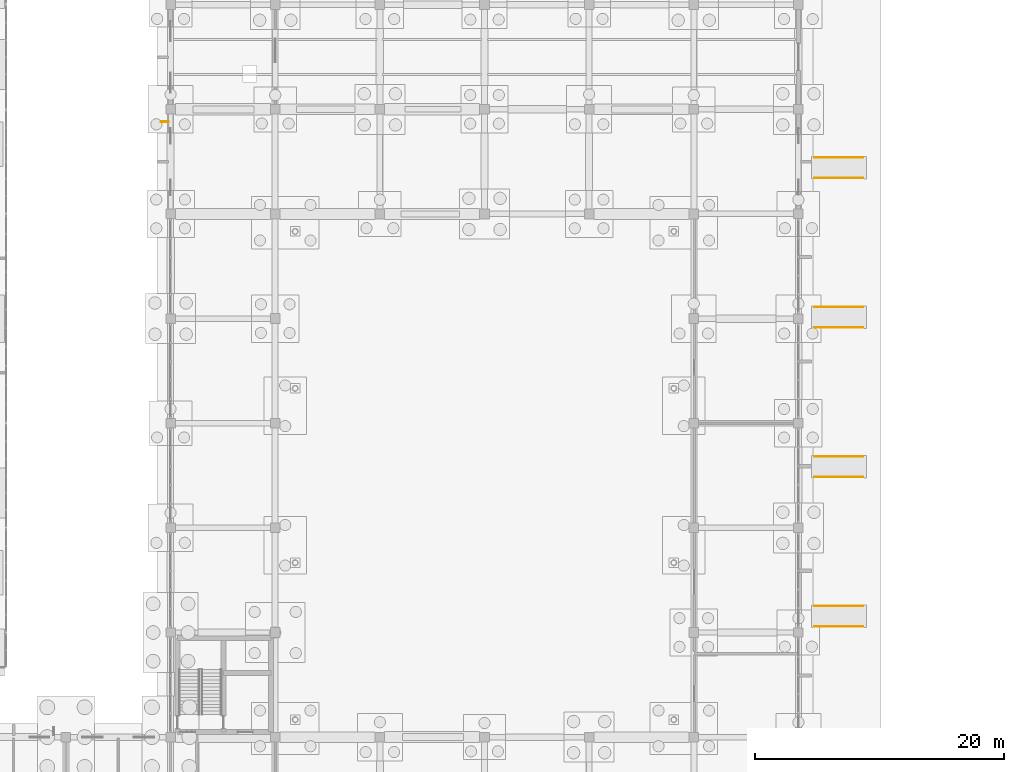
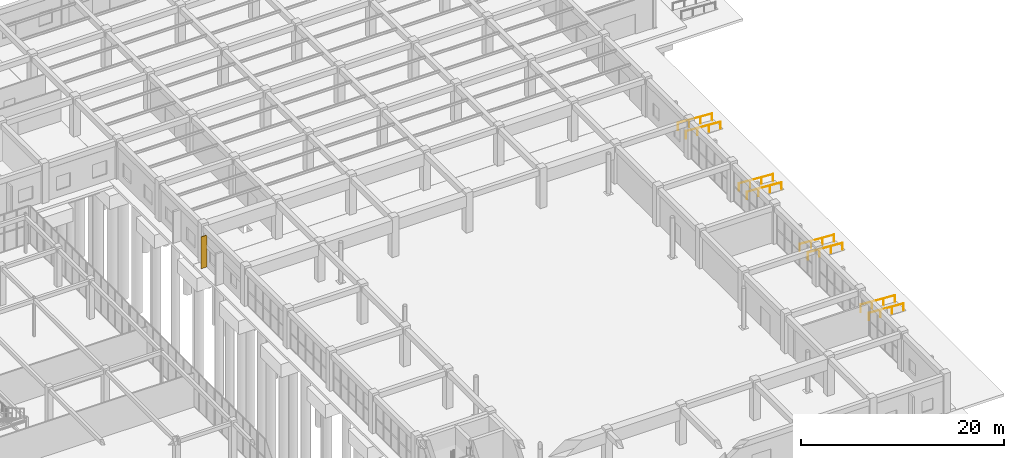
# One storey, part 189 of 192: 8 railings, 1 shading device.
"""IFC4 building model written with IfcOpenShell, lengths in metres."""

from ifc_helpers import new_model, si_unit, direction, frame, origin, origin_2d, place, context, subcontext, project, spatial, rectangle, circle, extrude, material, type_object, element, save


model = new_model("IFC4")

# Units and contexts
model_context = context("Model", 3, precision=1e-05, world=origin(), true_north=direction((0.0, 1.0)))
body_context = subcontext(model_context, "Body", "Model", "MODEL_VIEW")
ifc_project = project(units=[si_unit("LENGTHUNIT", "METRE"), si_unit("AREAUNIT", "SQUARE_METRE"), si_unit("VOLUMEUNIT", "CUBIC_METRE"), si_unit("PLANEANGLEUNIT", "RADIAN"), si_unit("MASSUNIT", "GRAM", prefix="KILO")], contexts=[model_context])

# Site, building, storey
site_placement = place(None, origin())
site = spatial("IfcSite", under=ifc_project, at=site_placement, CompositionType="ELEMENT")
building_placement = place(site_placement, origin())
building = spatial("IfcBuilding", under=site, at=building_placement, Name="Trelvath General Hospital", CompositionType="ELEMENT")
storey_placement = place(building_placement, origin())
storey = spatial("IfcBuildingStorey", under=building, at=storey_placement, Name="L00", CompositionType="ELEMENT", Elevation=0.0)

# Railings
ifc_material_1 = material(Name="Brushed stainless steel", Category="steel")
railing_type = type_object("IfcRailingType", Name="Handrail Stair900", PredefinedType="HANDRAIL", material=ifc_material_1)
for number, where, name in (
    (1, (186.10009765625, 34.080078125, 0.0), "Ramp Handrail RMP-ENTRY-1 S"),
    (2, (186.10009765625, 35.719970703125, 0.0), "Ramp Handrail RMP-ENTRY-1 N"),
    (3, (186.10009765625, 46.080078125, 0.0), "Ramp Handrail RMP-ENTRY-2 S"),
    (4, (186.10009765625, 47.719970703125, 0.0), "Ramp Handrail RMP-ENTRY-2 N"),
    (5, (186.10009765625, 58.080078125, 0.0), "Ramp Handrail RMP-ENTRY-3 S"),
    (6, (186.10009765625, 59.719970703125, 0.0), "Ramp Handrail RMP-ENTRY-3 N"),
    (7, (186.10009765625, 70.080078125, 0.0), "Ramp Handrail RMP-ENTRY-4 S"),
    (8, (186.10009765625, 71.719970703125, 0.0), "Ramp Handrail RMP-ENTRY-4 N"),
):
    element("IfcRailing", number, at=place(storey_placement, frame(where)), inside=storey, type_object=railing_type, Name=name, PredefinedType="HANDRAIL", context=body_context, shape_type="SweptSolid", body=[
        extrude(circle(Radius=0.02392578125, at=origin_2d()), frame((0.0, 0.0, 0.8759765625), z_axis=(0.998111928855, 0.0, -0.06142131126), x_axis=(0.0, 1.0, 0.0)), (0.0, 0.0, 1.0), 3.9072265625),
        extrude(circle(Radius=0.02099609375, at=origin_2d()), origin(), (0.0, 0.0, 1.0), 0.849853515625),
        extrude(circle(Radius=0.02099609375, at=origin_2d()), frame((1.300048828125, 0.0, -0.080078125)), (0.0, 0.0, 1.0), 0.849853515625),
        extrude(circle(Radius=0.02099609375, at=origin_2d()), frame((2.599853515625, 0.0, -0.159912109375)), (0.0, 0.0, 1.0), 0.849853515625),
        extrude(circle(Radius=0.02099609375, at=origin_2d()), frame((3.89990234375, 0.0, -0.239990234375)), (0.0, 0.0, 1.0), 0.849853515625),
    ])

# Shading device
ifc_material_2 = material(Name="Anodised aluminium", Category="aluminium")
shading_device_type = type_object("IfcShadingDeviceType", Name="SolarScreen PerforatedAlu", PredefinedType="JALOUSIE", material=ifc_material_2)
shading_device_placement = place(storey_placement, frame((133.919921875, 74.613037109375, 0.0), z_axis=(0.0, 0.0, 1.0), x_axis=(-1.0, 0.0, 0.0)))
element("IfcShadingDevice", 9, at=shading_device_placement, inside=storey, type_object=shading_device_type, Name="Solar Brise-Soleil Screen L00-14", PredefinedType="JALOUSIE", context=body_context, shape_type="SweptSolid", body=[
    extrude(rectangle(XDim=0.64990234375, YDim=0.080078125, at=origin_2d()), origin(), (0.0, 0.0, 1.0), 3.820068359375),
])

save(model, "model.ifc")
